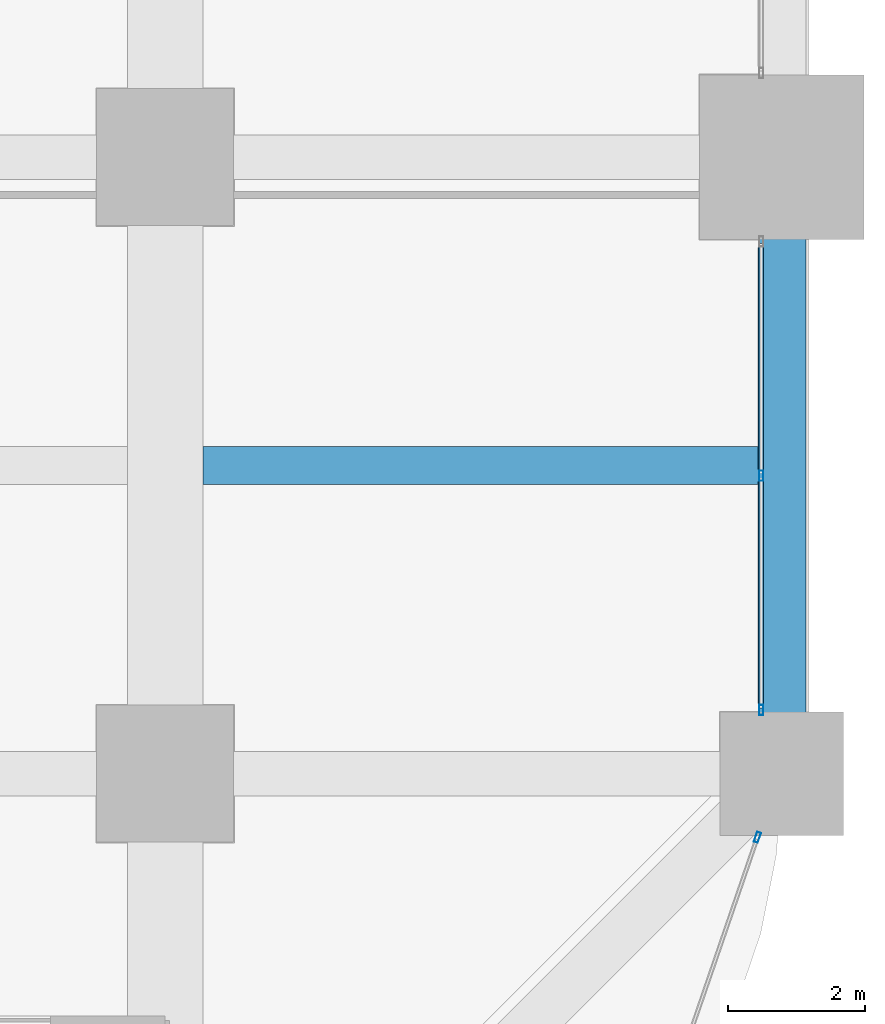
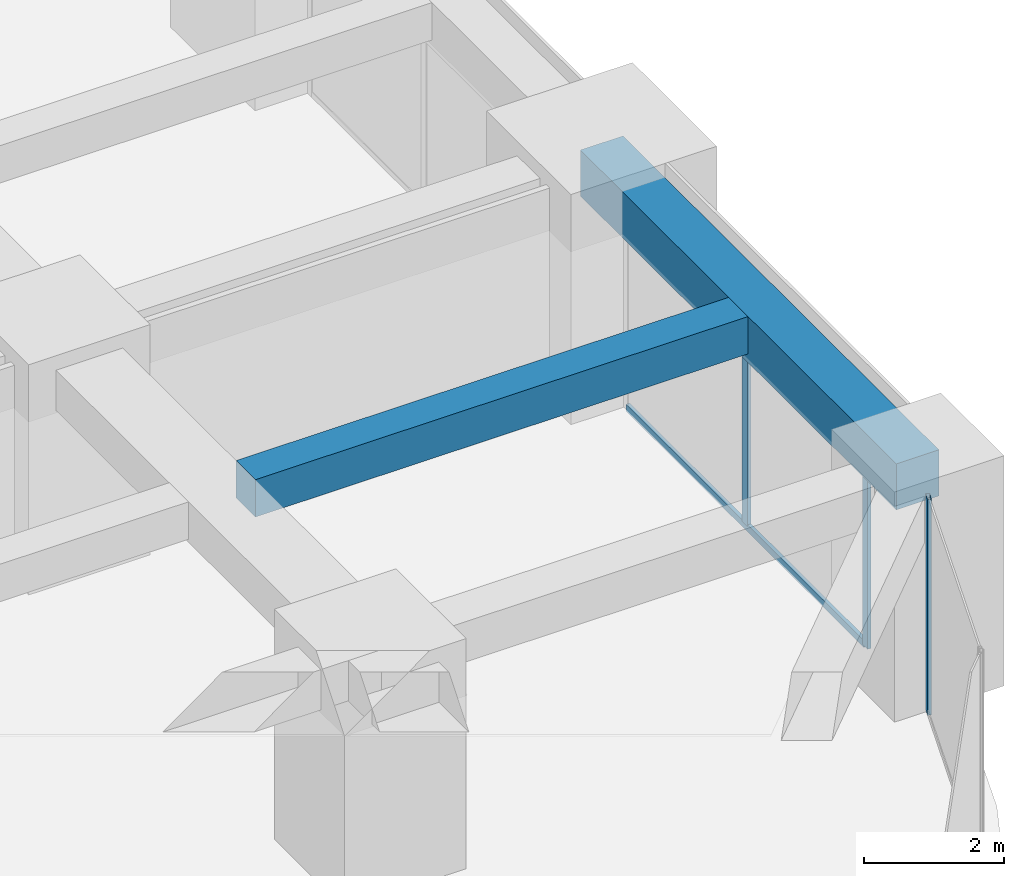
# One storey, part 19 of 41: 4 members, 2 beams, 2 elements without a shape of their own.
"""IFC4 building model written with IfcOpenShell, lengths in metres."""

from ifc_helpers import new_model, si_unit, direction, frame, origin, origin_2d, place, context, subcontext, project, spatial, rectangle, hollow_rectangle, extrude, material, material_profile, profile_set, type_object, element, aggregate, save


model = new_model("IFC4")

# Units and contexts
model_context = context("Model", 3, precision=1e-05, world=origin(), true_north=direction((0.0, 1.0)))
body_context = subcontext(model_context, "Body", "Model", "MODEL_VIEW")
ifc_project = project(units=[si_unit("LENGTHUNIT", "METRE"), si_unit("AREAUNIT", "SQUARE_METRE"), si_unit("VOLUMEUNIT", "CUBIC_METRE"), si_unit("PLANEANGLEUNIT", "RADIAN"), si_unit("MASSUNIT", "GRAM", prefix="KILO")], contexts=[model_context])

# Site, building, storey
site_placement = place(None, origin())
site = spatial("IfcSite", under=ifc_project, at=site_placement, CompositionType="ELEMENT")
building_placement = place(site_placement, origin())
building = spatial("IfcBuilding", under=site, at=building_placement, Name="Zorevar Civic Tower", CompositionType="ELEMENT")
storey_placement = place(building_placement, frame((0.0, 0.0, 105.0)))
storey = spatial("IfcBuildingStorey", under=building, at=storey_placement, Name="L25", CompositionType="ELEMENT", Elevation=105.0)

# Beam
ifc_material_1 = material(Name="Concrete C50/60", Category="concrete")
ifc_material_profile_1 = material_profile(ifc_material_1, rectangle(XDim=0.550048828125, YDim=0.64990234375, at=origin_2d()), Name="RC 550x650")
ifc_profile_set_1 = profile_set([ifc_material_profile_1], Name="Concrete C50/60")
beam_type_1 = type_object("IfcBeamType", Name="Beam RC 550x650", PredefinedType="BEAM", material=ifc_profile_set_1)
beam_1_placement = place(storey_placement, frame((54.550048828125, 13.5, 3.425048828125), z_axis=(1.0, 0.0, 0.0), x_axis=(0.0, 1.0, 0.0)))
element("IfcBeam", 1, at=beam_1_placement, inside=storey, type_object=beam_type_1, Name="Secondary beam L26", PredefinedType="BEAM", context=body_context, shape_type="SweptSolid", body=[
    extrude(rectangle(XDim=0.550048828125, YDim=0.64990234375, at=origin_2d()), origin(), (0.0, 0.0, 1.0), 8.099853515625),
])

# Curtain wall, members
ifc_material_2 = material(Name="Dark grey solar-control glass in black aluminium frame", Category="aluminium")
curtain_wall_type = type_object("IfcCurtainWallType", Name="Curtain wall CW3 mid zone", PredefinedType="NOTDEFINED", material=ifc_material_2)
curtain_wall_1_placement = place(storey_placement, origin())
curtain_wall_1 = element("IfcCurtainWall", 2, at=curtain_wall_1_placement, inside=storey, type_object=curtain_wall_type, Name="CW3 L25", PredefinedType="NOTDEFINED")
ifc_material_3 = material(Name="Aluminium, black anodised", Category="aluminium")
ifc_material_profile_2 = material_profile(ifc_material_3, hollow_rectangle(XDim=0.06005859375, YDim=0.14990234375, WallThickness=0.00390625, at=origin_2d()), Name="AL 150x60x4")
ifc_profile_set_2 = profile_set([ifc_material_profile_2], Name="Aluminium, black anodised")
member_type_1 = type_object("IfcMemberType", Name="CW3 mullion AL 150x60x4", PredefinedType="MULLION", material=ifc_profile_set_2)
member_1_placement = place(storey_placement, frame((62.699951171875, 9.929931640625, 0.0), z_axis=(0.0, 0.0, 1.0), x_axis=(-1.0, 0.0, 0.0)))
member_1 = element("IfcMember", 3, at=member_1_placement, type_object=member_type_1, Name="CW3 mullion 1", PredefinedType="MULLION", context=body_context, shape_type="SweptSolid", body=[
    extrude(hollow_rectangle(XDim=0.06005859375, YDim=0.14990234375, WallThickness=0.00390625, at=origin_2d()), origin(), (0.0, 0.0, 1.0), 2.949951171875),
])
member_2_placement = place(storey_placement, frame((62.699951171875, 13.35009765625, 0.06005859375), z_axis=(0.0, 0.0, 1.0), x_axis=(-1.0, 0.0, 0.0)))
member_2 = element("IfcMember", 4, at=member_2_placement, type_object=member_type_1, Name="CW3 mullion 2", PredefinedType="MULLION", context=body_context, shape_type="SweptSolid", body=[
    extrude(hollow_rectangle(XDim=0.06005859375, YDim=0.14990234375, WallThickness=0.00390625, at=origin_2d()), origin(), (0.0, 0.0, 1.0), 2.889892578125),
])

# Curtain wall, member
curtain_wall_2_placement = place(storey_placement, origin())
curtain_wall_2 = element("IfcCurtainWall", 5, at=curtain_wall_2_placement, inside=storey, type_object=curtain_wall_type, Name="CW3 L25", PredefinedType="NOTDEFINED")
member_3_placement = place(storey_placement, frame((62.6435546875, 8.071533203125, 0.0), z_axis=(0.0, 0.0, 1.0), x_axis=(-0.945755772794, 0.324878466857, 0.0)))
member_3 = element("IfcMember", 6, at=member_3_placement, type_object=member_type_1, Name="CW3 mullion 2", PredefinedType="MULLION", context=body_context, shape_type="SweptSolid", body=[
    extrude(hollow_rectangle(XDim=0.06005859375, YDim=0.14990234375, WallThickness=0.00390625, at=origin_2d()), origin(), (0.0, 0.0, 1.0), 3.75),
])
aggregate(curtain_wall_2, [member_3])

# Member
ifc_material_4 = material(Name="Aluminium, black anodised", Category="aluminium")
ifc_material_profile_3 = material_profile(ifc_material_4, hollow_rectangle(XDim=0.06005859375, YDim=0.1201171875, WallThickness=0.0029296875, at=origin_2d()), Name="AL 120x60x3")
ifc_profile_set_3 = profile_set([ifc_material_profile_3], Name="Aluminium, black anodised")
member_type_2 = type_object("IfcMemberType", Name="CW3 transom AL 120x60x3", PredefinedType="USERDEFINED", material=ifc_profile_set_3)
member_4_placement = place(storey_placement, frame((62.699951171875, 9.9599609375, 0.030029296875), z_axis=(0.0, 1.0, 0.0), x_axis=(-1.0, 0.0, 0.0)))
member_4 = element("IfcMember", 7, at=member_4_placement, type_object=member_type_2, Name="CW3 sill transom", ObjectType="TRANSOM", PredefinedType="USERDEFINED", context=body_context, shape_type="SweptSolid", body=[
    extrude(hollow_rectangle(XDim=0.06005859375, YDim=0.1201171875, WallThickness=0.0029296875, at=origin_2d()), origin(), (0.0, 0.0, 1.0), 6.780029296875),
])

aggregate(curtain_wall_1, [member_1, member_2, member_4])

# Beam
ifc_material_5 = material(Name="Concrete C50/60", Category="concrete")
ifc_material_profile_4 = material_profile(ifc_material_5, rectangle(XDim=0.699951171875, YDim=0.800048828125, at=origin_2d()), Name="RC 700x800")
ifc_profile_set_4 = profile_set([ifc_material_profile_4], Name="Concrete C50/60")
beam_type_2 = type_object("IfcBeamType", Name="Edge beam RC 700x800", PredefinedType="SPANDREL", material=ifc_profile_set_4)
beam_2_placement = place(storey_placement, frame((63.0, 9.0, 3.35009765625), z_axis=(0.0, 1.0, 0.0), x_axis=(-1.0, 0.0, 0.0)))
element("IfcBeam", 8, at=beam_2_placement, inside=storey, type_object=beam_type_2, Name="Edge beam L26", PredefinedType="SPANDREL", context=body_context, shape_type="SweptSolid", body=[
    extrude(rectangle(XDim=0.699951171875, YDim=0.800048828125, at=origin_2d()), origin(), (0.0, 0.0, 1.0), 9.0),
])

save(model, "model.ifc")
